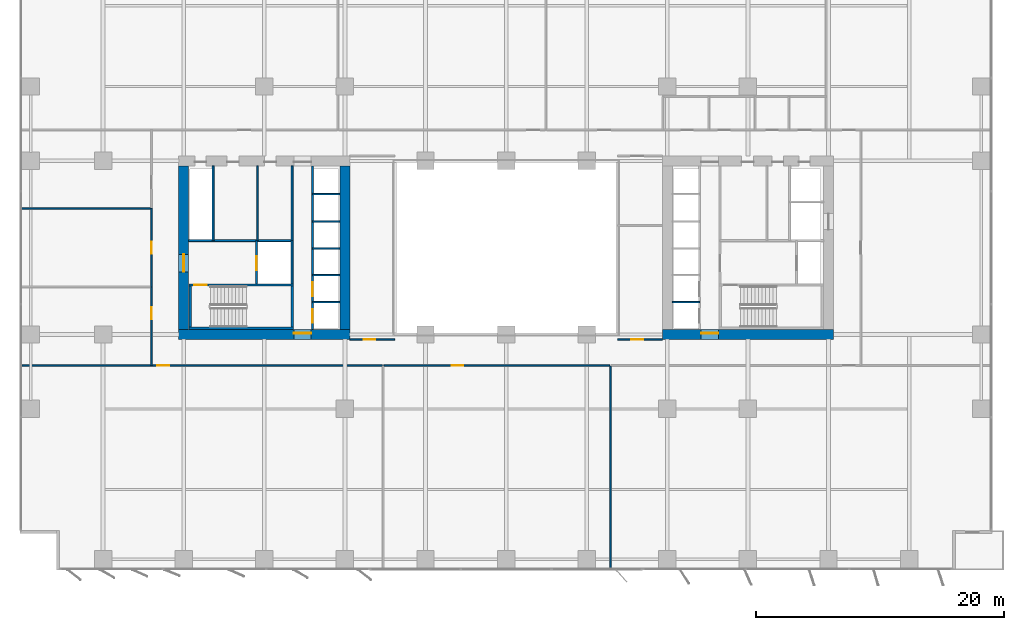
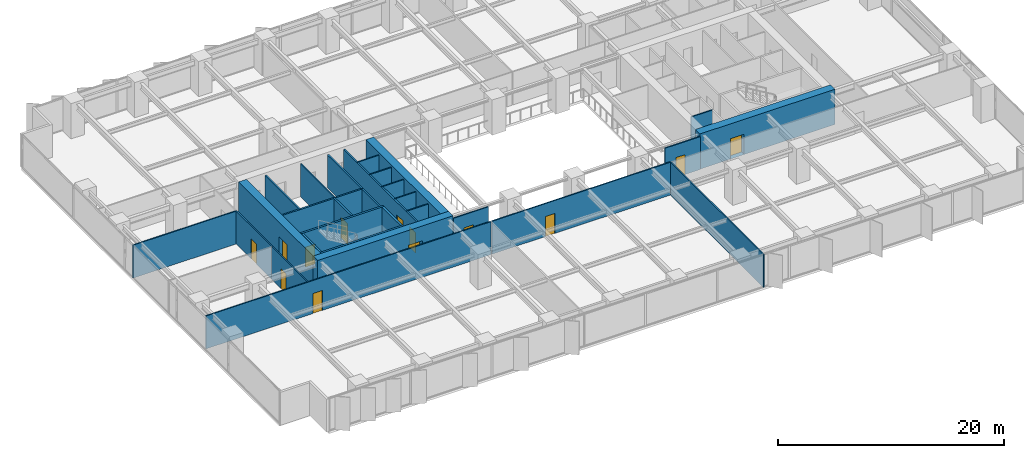
# One storey, part 13 of 20: 29 walls, 13 doors, 13 openings.
"""IFC4 building model written with IfcOpenShell, lengths in metres."""

from ifc_helpers import new_model, si_unit, direction, frame, frame_2d, origin, place, context, subcontext, project, spatial, rectangle, extrude, material, layer, layer_set, type_object, element, fill, save


model = new_model("IFC4")

# Units and contexts
model_context = context("Model", 3, precision=1e-05, world=origin(), true_north=direction((0.0, 1.0)))
body_context = subcontext(model_context, "Body", "Model", "MODEL_VIEW")
ifc_project = project(units=[si_unit("LENGTHUNIT", "METRE"), si_unit("AREAUNIT", "SQUARE_METRE"), si_unit("VOLUMEUNIT", "CUBIC_METRE"), si_unit("PLANEANGLEUNIT", "RADIAN"), si_unit("MASSUNIT", "GRAM", prefix="KILO")], contexts=[model_context])

# Site, building, storey
site_placement = place(None, origin())
site = spatial("IfcSite", under=ifc_project, at=site_placement, CompositionType="ELEMENT")
building_placement = place(site_placement, origin())
building = spatial("IfcBuilding", under=site, at=building_placement, Name="Putna Gate Headquarters", CompositionType="ELEMENT")
storey_placement = place(building_placement, frame((0.0, 0.0, 54.39990234375)))
storey = spatial("IfcBuildingStorey", under=building, at=storey_placement, Name="L12", CompositionType="ELEMENT", Elevation=54.39990234375)

# Wall, opening, door
ifc_material_1 = material(Name="Concrete C60/75", Category="concrete")
ifc_layer_1 = layer(ifc_material_1, 0.800048828125)
ifc_layer_set_1 = layer_set([ifc_layer_1], Name="Concrete C60/75")
wall_type_1 = type_object("IfcWallType", Name="WALL-CORE-800", PredefinedType="SHEAR", material=ifc_layer_set_1)
wall_1_placement = place(storey_placement, frame((12.60009765625, 19.0, 0.0), z_axis=(0.0, 0.0, 1.0), x_axis=(1.0, 0.0, 0.0)))
wall_1 = element("IfcWall", 1, at=wall_1_placement, inside=storey, type_object=wall_type_1, Name="L12 WC Split Core Shear Wall S", PredefinedType="SHEAR", context=body_context, shape_type="SweptSolid", body=[
    extrude(rectangle(XDim=13.7998046875, YDim=0.800048828125, at=frame_2d((6.89990234375, 0.0))), origin(), (0.0, 0.0, 1.0), 3.800048828125),
])
opening_1_placement = place(wall_1_placement, frame((9.280029296875, 0.0, 0.0)))
opening_1 = element("IfcOpeningElement", 2, at=opening_1_placement, cuts=wall_1, Name="Opening FDD-140", PredefinedType="OPENING", context=body_context, shape_type="SweptSolid", body=[
    extrude(rectangle(XDim=1.39990234375, YDim=2.199951171875, at=frame_2d((0.699951171875, 1.10009765625))), frame((0.0, 0.409912109375, 0.0), z_axis=(0.0, -1.0, 0.0), x_axis=(1.0, 0.0, 0.0)), (0.0, 0.0, 1.0), 0.820068359375),
])
ifc_material_2 = material(Name="Double steel fire door", Category="steel")
door_type_1 = type_object("IfcDoorType", Name="DOOR-FIRE-DBL-1400", OperationType="DOUBLE_DOOR_SINGLE_SWING", PredefinedType="DOOR", material=ifc_material_2)
door_1_placement = place(opening_1_placement, origin())
door_1 = element("IfcDoor", 3, at=door_1_placement, inside=storey, type_object=door_type_1, Name="L12 West Lift Lobby South Door", OperationType="DOUBLE_DOOR_SINGLE_SWING", OverallHeight=2.199951171875, OverallWidth=1.39990234375, PredefinedType="DOOR", context=body_context, shape_type="SweptSolid", body=[
    extrude(rectangle(XDim=1.39990234375, YDim=2.199951171875, at=frame_2d((0.699951171875, 1.10009765625))), frame((0.0, 0.125, 0.0), z_axis=(0.0, -1.0, 0.0), x_axis=(1.0, 0.0, 0.0)), (0.0, 0.0, 1.0), 0.050048828125),
])
fill(opening_1, door_1)

wall_2_placement = place(storey_placement, frame((13.0, 19.39990234375, 0.0), z_axis=(0.0, 0.0, 1.0), x_axis=(0.0, 1.0, 0.0)))
wall_2 = element("IfcWall", 4, at=wall_2_placement, inside=storey, type_object=wall_type_1, Name="L12 WC Split Core Shear Wall W", PredefinedType="SHEAR", context=body_context, shape_type="SweptSolid", body=[
    extrude(rectangle(XDim=13.2001953125, YDim=0.800048828125, at=frame_2d((6.60009765625, 0.0))), origin(), (0.0, 0.0, 1.0), 3.800048828125),
])
opening_2_placement = place(wall_2_placement, frame((4.64990234375, 0.0, 0.0)))
opening_2 = element("IfcOpeningElement", 5, at=opening_2_placement, cuts=wall_2, Name="Opening FDD-140", PredefinedType="OPENING", context=body_context, shape_type="SweptSolid", body=[
    extrude(rectangle(XDim=1.39990234375, YDim=2.199951171875, at=frame_2d((0.699951171875, 1.10009765625))), frame((0.0, 0.409912109375, 0.0), z_axis=(0.0, -1.0, 0.0), x_axis=(1.0, 0.0, 0.0)), (0.0, 0.0, 1.0), 0.820068359375),
])
door_2_placement = place(opening_2_placement, origin())
door_2 = element("IfcDoor", 6, at=door_2_placement, inside=storey, type_object=door_type_1, Name="L12 West Firefighting Lobby Door", OperationType="DOUBLE_DOOR_SINGLE_SWING", OverallHeight=2.199951171875, OverallWidth=1.39990234375, PredefinedType="DOOR", context=body_context, shape_type="SweptSolid", body=[
    extrude(rectangle(XDim=1.39990234375, YDim=2.199951171875, at=frame_2d((0.699951171875, 1.10009765625))), frame((0.0, 0.02490234375, 0.0), z_axis=(0.0, -1.0, 0.0), x_axis=(1.0, 0.0, 0.0)), (0.0, 0.0, 1.0), 0.050048828125),
])
fill(opening_2, door_2)

# Wall
wall_3_placement = place(storey_placement, frame((26.0, 19.39990234375, 0.0), z_axis=(0.0, 0.0, 1.0), x_axis=(0.0, 1.0, 0.0)))
element("IfcWall", 7, at=wall_3_placement, inside=storey, type_object=wall_type_1, Name="L12 WC Split Core Shear Wall E", PredefinedType="SHEAR", context=body_context, shape_type="SweptSolid", body=[
    extrude(rectangle(XDim=13.2001953125, YDim=0.800048828125, at=frame_2d((6.60009765625, 0.0))), origin(), (0.0, 0.0, 1.0), 3.800048828125),
])

# Wall, opening, door
wall_4_placement = place(storey_placement, frame((51.60009765625, 19.0, 0.0), z_axis=(0.0, 0.0, 1.0), x_axis=(1.0, 0.0, 0.0)))
wall_4 = element("IfcWall", 8, at=wall_4_placement, inside=storey, type_object=wall_type_1, Name="L12 EC Split Core Shear Wall S", PredefinedType="SHEAR", context=body_context, shape_type="SweptSolid", body=[
    extrude(rectangle(XDim=13.7998046875, YDim=0.800048828125, at=frame_2d((6.89990234375, 0.0))), origin(), (0.0, 0.0, 1.0), 3.800048828125),
])
opening_3_placement = place(wall_4_placement, frame((3.1201171875, 0.0, 0.0)))
opening_3 = element("IfcOpeningElement", 9, at=opening_3_placement, cuts=wall_4, Name="Opening FDD-140", PredefinedType="OPENING", context=body_context, shape_type="SweptSolid", body=[
    extrude(rectangle(XDim=1.39990234375, YDim=2.199951171875, at=frame_2d((0.699951171875, 1.10009765625))), frame((0.0, 0.409912109375, 0.0), z_axis=(0.0, -1.0, 0.0), x_axis=(1.0, 0.0, 0.0)), (0.0, 0.0, 1.0), 0.820068359375),
])
door_3_placement = place(opening_3_placement, origin())
door_3 = element("IfcDoor", 10, at=door_3_placement, inside=storey, type_object=door_type_1, Name="L12 East Lift Lobby South Door", OperationType="DOUBLE_DOOR_SINGLE_SWING", OverallHeight=2.199951171875, OverallWidth=1.39990234375, PredefinedType="DOOR", context=body_context, shape_type="SweptSolid", body=[
    extrude(rectangle(XDim=1.39990234375, YDim=2.199951171875, at=frame_2d((0.699951171875, 1.10009765625))), frame((0.0, 0.125, 0.0), z_axis=(0.0, -1.0, 0.0), x_axis=(1.0, 0.0, 0.0)), (0.0, 0.0, 1.0), 0.050048828125),
])
fill(opening_3, door_3)

ifc_material_3 = material(Name="Acoustic gypsum board on metal stud")
ifc_layer_2 = layer(ifc_material_3, 0.1201171875)
ifc_layer_set_2 = layer_set([ifc_layer_2], Name="Acoustic gypsum board on metal stud")
wall_type_2 = type_object("IfcWallType", Name="WALL-PART-120", PredefinedType="PARTITIONING", material=ifc_layer_set_2)
wall_5_placement = place(storey_placement, frame((26.39990234375, 18.60009765625, 0.0), z_axis=(0.0, 0.0, 1.0), x_axis=(1.0, 0.0, 0.0)))
wall_5 = element("IfcWall", 11, at=wall_5_placement, inside=storey, type_object=wall_type_2, Name="L12 Interior Wall PART-L12-ATR-W-S", PredefinedType="PARTITIONING", context=body_context, shape_type="SweptSolid", body=[
    extrude(rectangle(XDim=3.60009765625, YDim=0.1201171875, at=frame_2d((1.800048828125, 0.0))), origin(), (0.0, 0.0, 1.0), 3.550048828125),
])
opening_4_placement = place(wall_5_placement, frame((1.10009765625, 0.0, 0.0)))
opening_4 = element("IfcOpeningElement", 12, at=opening_4_placement, cuts=wall_5, Name="Opening ID-95", PredefinedType="OPENING", context=body_context, shape_type="SweptSolid", body=[
    extrude(rectangle(XDim=0.949951171875, YDim=2.14990234375, at=frame_2d((0.47509765625, 1.074951171875))), frame((0.0, 0.070068359375, 0.0), z_axis=(0.0, -1.0, 0.0), x_axis=(1.0, 0.0, 0.0)), (0.0, 0.0, 1.0), 0.14013671875),
])
ifc_material_4 = material(Name="Veneered acoustic timber door", Category="wood")
door_type_2 = type_object("IfcDoorType", Name="DOOR-OFF-950", OperationType="NOTDEFINED", PredefinedType="DOOR", material=ifc_material_4)
door_4_placement = place(opening_4_placement, origin())
door_4 = element("IfcDoor", 13, at=door_4_placement, inside=storey, type_object=door_type_2, Name="L12 West Atrium Gallery Lounge Door", OperationType="SINGLE_SWING_LEFT", OverallHeight=2.14990234375, OverallWidth=0.949951171875, PredefinedType="DOOR", context=body_context, shape_type="SweptSolid", body=[
    extrude(rectangle(XDim=0.949951171875, YDim=2.14990234375, at=frame_2d((0.47509765625, 1.074951171875))), frame((0.0, 0.02490234375, 0.0), z_axis=(0.0, -1.0, 0.0), x_axis=(1.0, 0.0, 0.0)), (0.0, 0.0, 1.0), 0.050048828125),
])
fill(opening_4, door_4)

wall_6_placement = place(storey_placement, frame((48.0, 18.60009765625, 0.0), z_axis=(0.0, 0.0, 1.0), x_axis=(1.0, 0.0, 0.0)))
wall_6 = element("IfcWall", 14, at=wall_6_placement, inside=storey, type_object=wall_type_2, Name="L12 Interior Wall PART-L12-ATR-E-S", PredefinedType="PARTITIONING", context=body_context, shape_type="SweptSolid", body=[
    extrude(rectangle(XDim=3.60009765625, YDim=0.1201171875, at=frame_2d((1.800048828125, 0.0))), origin(), (0.0, 0.0, 1.0), 3.550048828125),
])
opening_5_placement = place(wall_6_placement, frame((1.10009765625, 0.0, 0.0)))
opening_5 = element("IfcOpeningElement", 15, at=opening_5_placement, cuts=wall_6, Name="Opening ID-95", PredefinedType="OPENING", context=body_context, shape_type="SweptSolid", body=[
    extrude(rectangle(XDim=0.949951171875, YDim=2.14990234375, at=frame_2d((0.47509765625, 1.074951171875))), frame((0.0, 0.070068359375, 0.0), z_axis=(0.0, -1.0, 0.0), x_axis=(1.0, 0.0, 0.0)), (0.0, 0.0, 1.0), 0.14013671875),
])
door_5_placement = place(opening_5_placement, origin())
door_5 = element("IfcDoor", 16, at=door_5_placement, inside=storey, type_object=door_type_2, Name="L12 East Atrium South Gallery Door", OperationType="SINGLE_SWING_RIGHT", OverallHeight=2.14990234375, OverallWidth=0.949951171875, PredefinedType="DOOR", context=body_context, shape_type="SweptSolid", body=[
    extrude(rectangle(XDim=0.949951171875, YDim=2.14990234375, at=frame_2d((0.47509765625, 1.074951171875))), frame((0.0, 0.02490234375, 0.0), z_axis=(0.0, -1.0, 0.0), x_axis=(1.0, 0.0, 0.0)), (0.0, 0.0, 1.0), 0.050048828125),
])
fill(opening_5, door_5)

# Walls
wall_7_placement = place(storey_placement, frame((47.40478515625, 0.02001953125, 0.0), z_axis=(0.0, 0.0, 1.0), x_axis=(0.0, 1.0, 0.0)))
element("IfcWall", 17, at=wall_7_placement, inside=storey, type_object=wall_type_2, Name="L12 Interior Wall PART-L12-SB-DIV-02", PredefinedType="PARTITIONING", context=body_context, shape_type="SweptSolid", body=[
    extrude(rectangle(XDim=16.419921875, YDim=0.1201171875, at=frame_2d((8.2099609375, 0.0))), origin(), (0.0, 0.0, 1.0), 3.550048828125),
])
wall_8_placement = place(storey_placement, frame((-0.179931640625, 29.166748046875, 0.0), z_axis=(0.0, 0.0, 1.0), x_axis=(1.0, 0.0, 0.0)))
element("IfcWall", 18, at=wall_8_placement, inside=storey, type_object=wall_type_2, Name="L12 Interior Wall PART-L12-WW-DIV-2", PredefinedType="PARTITIONING", context=body_context, shape_type="SweptSolid", body=[
    extrude(rectangle(XDim=10.579833984375, YDim=0.1201171875, at=frame_2d((5.2900390625, 0.0))), origin(), (0.0, 0.0, 1.0), 3.550048828125),
])
ifc_material_5 = material(Name="Fire-rated shaftwall gypsum board on metal stud")
ifc_layer_3 = layer(ifc_material_5, 0.1201171875)
ifc_layer_set_3 = layer_set([ifc_layer_3], Name="Fire-rated shaftwall gypsum board on metal stud")
wall_type_3 = type_object("IfcWallType", Name="WALL-PART-120-EI120", PredefinedType="PARTITIONING", material=ifc_layer_set_3)
for number, where, z_axis, x_axis, name in (
    (19, (23.39990234375, 21.610107421875, 0.0), (0.0, 0.0, 1.0), (1.0, 0.0, 0.0), "L12 Interior Wall CWINT-L12-WC-LF01-DIV"),
    (20, (23.39990234375, 23.780029296875, 0.0), (0.0, 0.0, 1.0), (1.0, 0.0, 0.0), "L12 Interior Wall CWINT-L12-WC-LF02-DIV"),
    (21, (23.39990234375, 25.949951171875, 0.0), (0.0, 0.0, 1.0), (1.0, 0.0, 0.0), "L12 Interior Wall CWINT-L12-WC-LF05-DIV"),
    (22, (23.39990234375, 28.1201171875, 0.0), (0.0, 0.0, 1.0), (1.0, 0.0, 0.0), "L12 Interior Wall CWINT-L12-WC-LF06-DIV"),
    (23, (23.39990234375, 30.31005859375, 0.0), (0.0, 0.0, 1.0), (1.0, 0.0, 0.0), "L12 Interior Wall CWINT-L12-WC-LF09-DIV"),
    (24, (52.39990234375, 21.610107421875, 0.0), (0.0, 0.0, 1.0), (1.0, 0.0, 0.0), "L12 Interior Wall CWINT-L12-EC-LF03-DIV"),
):
    element("IfcWall", number, at=place(storey_placement, frame(where, z_axis=z_axis, x_axis=x_axis)), inside=storey, type_object=wall_type_3, Name=name, PredefinedType="PARTITIONING", context=body_context, shape_type="SweptSolid", body=[
        extrude(rectangle(XDim=2.2001953125, YDim=0.1201171875, at=frame_2d((1.10009765625, 0.0))), origin(), (0.0, 0.0, 1.0), 3.550048828125),
    ])
ifc_material_6 = material(Name="Fire-rated gypsum board on metal stud")
ifc_layer_4 = layer(ifc_material_6, 0.1201171875)
ifc_layer_set_4 = layer_set([ifc_layer_4], Name="Fire-rated gypsum board on metal stud")
wall_type_4 = type_object("IfcWallType", Name="WALL-PART-120-RATED", PredefinedType="PARTITIONING", material=ifc_layer_set_4)
wall_9_placement = place(storey_placement, frame((18.969970703125, 26.56005859375, 0.0), z_axis=(0.0, 0.0, 1.0), x_axis=(0.0, 1.0, 0.0)))
element("IfcWall", 25, at=wall_9_placement, inside=storey, type_object=wall_type_4, Name="L12 Interior Wall CWINT-L12-WC-K0-DIV", PredefinedType="PARTITIONING", context=body_context, shape_type="SweptSolid", body=[
    extrude(rectangle(XDim=6.0400390625, YDim=0.1201171875, at=frame_2d((3.02001953125, 0.0))), origin(), (0.0, 0.0, 1.0), 3.550048828125),
])

# Wall, opening, door
wall_10_placement = place(storey_placement, frame((-0.02001953125, 16.5, 0.0), z_axis=(0.0, 0.0, 1.0), x_axis=(1.0, 0.0, 0.0)))
wall_10 = element("IfcWall", 26, at=wall_10_placement, inside=storey, type_object=wall_type_4, Name="L12 Interior Wall PART-L12-SB-CW-01", PredefinedType="PARTITIONING", context=body_context, shape_type="SweptSolid", body=[
    extrude(rectangle(XDim=29.041015625, YDim=0.1201171875, at=frame_2d((14.5205078125, 0.0))), origin(), (0.0, 0.0, 1.0), 3.550048828125),
])
opening_6_placement = place(wall_10_placement, frame((10.89990234375, 0.0, 0.0)))
opening_6 = element("IfcOpeningElement", 27, at=opening_6_placement, cuts=wall_10, Name="Opening FD-95", PredefinedType="OPENING", context=body_context, shape_type="SweptSolid", body=[
    extrude(rectangle(XDim=0.949951171875, YDim=2.14990234375, at=frame_2d((0.47509765625, 1.074951171875))), frame((0.0, 0.070068359375, 0.0), z_axis=(0.0, -1.0, 0.0), x_axis=(1.0, 0.0, 0.0)), (0.0, 0.0, 1.0), 0.14013671875),
])
ifc_material_7 = material(Name="Acoustic timber fire door", Category="wood")
door_type_3 = type_object("IfcDoorType", Name="DOOR-FIRE-950", OperationType="NOTDEFINED", PredefinedType="DOOR", material=ifc_material_7)
door_6_placement = place(opening_6_placement, origin())
door_6 = element("IfcDoor", 28, at=door_6_placement, inside=storey, type_object=door_type_3, Name="L12 Conference Meeting Room 1 Door", OperationType="SINGLE_SWING_RIGHT", OverallHeight=2.14990234375, OverallWidth=0.949951171875, PredefinedType="DOOR", context=body_context, shape_type="SweptSolid", body=[
    extrude(rectangle(XDim=0.949951171875, YDim=2.14990234375, at=frame_2d((0.47509765625, 1.074951171875))), frame((0.0, 0.02490234375, 0.0), z_axis=(0.0, -1.0, 0.0), x_axis=(1.0, 0.0, 0.0)), (0.0, 0.0, 1.0), 0.050048828125),
])
fill(opening_6, door_6)

wall_11_placement = place(storey_placement, frame((29.14111328125, 16.5, 0.0), z_axis=(0.0, 0.0, 1.0), x_axis=(1.0, 0.0, 0.0)))
wall_11 = element("IfcWall", 29, at=wall_11_placement, inside=storey, type_object=wall_type_4, Name="L12 Interior Wall PART-L12-SB-CW-02", PredefinedType="PARTITIONING", context=body_context, shape_type="SweptSolid", body=[
    extrude(rectangle(XDim=18.203857421875, YDim=0.1201171875, at=frame_2d((9.10205078125, 0.0))), origin(), (0.0, 0.0, 1.0), 3.550048828125),
])
opening_7_placement = place(wall_11_placement, frame((5.461181640625, 0.0, 0.0)))
opening_7 = element("IfcOpeningElement", 30, at=opening_7_placement, cuts=wall_11, Name="Opening FD-95", PredefinedType="OPENING", context=body_context, shape_type="SweptSolid", body=[
    extrude(rectangle(XDim=0.949951171875, YDim=2.14990234375, at=frame_2d((0.47509765625, 1.074951171875))), frame((0.0, 0.070068359375, 0.0), z_axis=(0.0, -1.0, 0.0), x_axis=(1.0, 0.0, 0.0)), (0.0, 0.0, 1.0), 0.14013671875),
])
door_7_placement = place(opening_7_placement, origin())
door_7 = element("IfcDoor", 31, at=door_7_placement, inside=storey, type_object=door_type_3, Name="L12 Quiet Wellness Focus Studio 1 Door", OperationType="SINGLE_SWING_LEFT", OverallHeight=2.14990234375, OverallWidth=0.949951171875, PredefinedType="DOOR", context=body_context, shape_type="SweptSolid", body=[
    extrude(rectangle(XDim=0.949951171875, YDim=2.14990234375, at=frame_2d((0.47509765625, 1.074951171875))), frame((0.0, 0.02490234375, 0.0), z_axis=(0.0, -1.0, 0.0), x_axis=(1.0, 0.0, 0.0)), (0.0, 0.0, 1.0), 0.050048828125),
])
fill(opening_7, door_7)

wall_12_placement = place(storey_placement, frame((10.39990234375, 16.5, 0.0), z_axis=(0.0, 0.0, 1.0), x_axis=(0.0, 1.0, 0.0)))
wall_12 = element("IfcWall", 32, at=wall_12_placement, inside=storey, type_object=wall_type_4, Name="L12 Interior Wall PART-L12-WW-CW-1", PredefinedType="PARTITIONING", context=body_context, shape_type="SweptSolid", body=[
    extrude(rectangle(XDim=6.333251953125, YDim=0.1201171875, at=frame_2d((3.16650390625, 0.0))), origin(), (0.0, 0.0, 1.0), 3.550048828125),
])
opening_8_placement = place(wall_12_placement, frame((3.74169921875, 0.0, 0.0)))
opening_8 = element("IfcOpeningElement", 33, at=opening_8_placement, cuts=wall_12, Name="Opening FD-95", PredefinedType="OPENING", context=body_context, shape_type="SweptSolid", body=[
    extrude(rectangle(XDim=0.949951171875, YDim=2.14990234375, at=frame_2d((0.47509765625, 1.074951171875))), frame((0.0, 0.070068359375, 0.0), z_axis=(0.0, -1.0, 0.0), x_axis=(1.0, 0.0, 0.0)), (0.0, 0.0, 1.0), 0.14013671875),
])
door_8_placement = place(opening_8_placement, origin())
door_8 = element("IfcDoor", 34, at=door_8_placement, inside=storey, type_object=door_type_3, Name="L12 West Project Meeting Room 1 Door", OperationType="SINGLE_SWING_LEFT", OverallHeight=2.14990234375, OverallWidth=0.949951171875, PredefinedType="DOOR", context=body_context, shape_type="SweptSolid", body=[
    extrude(rectangle(XDim=0.949951171875, YDim=2.14990234375, at=frame_2d((0.47509765625, 1.074951171875))), frame((0.0, 0.02490234375, 0.0), z_axis=(0.0, -1.0, 0.0), x_axis=(1.0, 0.0, 0.0)), (0.0, 0.0, 1.0), 0.050048828125),
])
fill(opening_8, door_8)

wall_13_placement = place(storey_placement, frame((10.39990234375, 22.833251953125, 0.0), z_axis=(0.0, 0.0, 1.0), x_axis=(0.0, 1.0, 0.0)))
wall_13 = element("IfcWall", 35, at=wall_13_placement, inside=storey, type_object=wall_type_4, Name="L12 Interior Wall PART-L12-WW-CW-2", PredefinedType="PARTITIONING", context=body_context, shape_type="SweptSolid", body=[
    extrude(rectangle(XDim=6.33349609375, YDim=0.1201171875, at=frame_2d((3.166748046875, 0.0))), origin(), (0.0, 0.0, 1.0), 3.550048828125),
])
opening_9_placement = place(wall_13_placement, frame((2.691650390625, 0.0, 0.0)))
opening_9 = element("IfcOpeningElement", 36, at=opening_9_placement, cuts=wall_13, Name="Opening FD-95", PredefinedType="OPENING", context=body_context, shape_type="SweptSolid", body=[
    extrude(rectangle(XDim=0.949951171875, YDim=2.14990234375, at=frame_2d((0.47509765625, 1.074951171875))), frame((0.0, 0.070068359375, 0.0), z_axis=(0.0, -1.0, 0.0), x_axis=(1.0, 0.0, 0.0)), (0.0, 0.0, 1.0), 0.14013671875),
])
door_9_placement = place(opening_9_placement, origin())
door_9 = element("IfcDoor", 37, at=door_9_placement, inside=storey, type_object=door_type_3, Name="L12 West Project Meeting Room 2 Door", OperationType="SINGLE_SWING_RIGHT", OverallHeight=2.14990234375, OverallWidth=0.949951171875, PredefinedType="DOOR", context=body_context, shape_type="SweptSolid", body=[
    extrude(rectangle(XDim=0.949951171875, YDim=2.14990234375, at=frame_2d((0.47509765625, 1.074951171875))), frame((0.0, 0.02490234375, 0.0), z_axis=(0.0, -1.0, 0.0), x_axis=(1.0, 0.0, 0.0)), (0.0, 0.0, 1.0), 0.050048828125),
])
fill(opening_9, door_9)

# Wall
ifc_material_8 = material(Name="Concrete C40/50", Category="concrete")
ifc_layer_5 = layer(ifc_material_8, 0.159912109375)
ifc_layer_set_5 = layer_set([ifc_layer_5], Name="Concrete C40/50")
wall_type_5 = type_object("IfcWallType", Name="WALL-SHAFT-160", PredefinedType="STANDARD", material=ifc_layer_set_5)
wall_14_placement = place(storey_placement, frame((21.739990234375, 23.090087890625, 0.0), z_axis=(0.0, 0.0, 1.0), x_axis=(0.0, 1.0, 0.0)))
element("IfcWall", 38, at=wall_14_placement, inside=storey, type_object=wall_type_5, Name="L12 Interior Wall CWINT-L12-WC-FFL-E", PredefinedType="STANDARD", context=body_context, shape_type="SweptSolid", body=[
    extrude(rectangle(XDim=3.469970703125, YDim=0.159912109375, at=frame_2d((1.73486328125, 0.0))), origin(), (0.0, 0.0, 1.0), 3.550048828125),
])

# Wall, opening, door
wall_15_placement = place(storey_placement, frame((18.8798828125, 23.090087890625, 0.0), z_axis=(0.0, 0.0, 1.0), x_axis=(0.0, 1.0, 0.0)))
wall_15 = element("IfcWall", 39, at=wall_15_placement, inside=storey, type_object=wall_type_5, Name="L12 Interior Wall CWINT-L12-WC-LF13-W", PredefinedType="STANDARD", context=body_context, shape_type="SweptSolid", body=[
    extrude(rectangle(XDim=3.469970703125, YDim=0.159912109375, at=frame_2d((1.73486328125, 0.0))), origin(), (0.0, 0.0, 1.0), 3.550048828125),
])
opening_10_placement = place(wall_15_placement, frame((1.10009765625, 0.0, 0.0)))
opening_10 = element("IfcOpeningElement", 40, at=opening_10_placement, cuts=wall_15, Name="Opening LD-1", PredefinedType="OPENING", context=body_context, shape_type="SweptSolid", body=[
    extrude(rectangle(XDim=1.10009765625, YDim=2.199951171875, at=frame_2d((0.550048828125, 1.10009765625))), frame((0.0, 0.08984375, 0.0), z_axis=(0.0, -1.0, 0.0), x_axis=(1.0, 0.0, 0.0)), (0.0, 0.0, 1.0), 0.179931640625),
])
ifc_material_9 = material(Name="Brushed bronze stainless lift landing door")
door_type_4 = type_object("IfcDoorType", Name="DOOR-LIFT-1100", OperationType="DOUBLE_DOOR_SLIDING", PredefinedType="DOOR", material=ifc_material_9)
door_10_placement = place(opening_10_placement, origin())
door_10 = element("IfcDoor", 41, at=door_10_placement, inside=storey, type_object=door_type_4, Name="L12 Lift Landing Door LD-13", OperationType="DOUBLE_DOOR_SLIDING", OverallHeight=2.199951171875, OverallWidth=1.10009765625, PredefinedType="DOOR", context=body_context, shape_type="SweptSolid", body=[
    extrude(rectangle(XDim=1.10009765625, YDim=2.199951171875, at=frame_2d((0.550048828125, 1.10009765625))), frame((0.0, 0.02490234375, 0.0), z_axis=(0.0, -1.0, 0.0), x_axis=(1.0, 0.0, 0.0)), (0.0, 0.0, 1.0), 0.050048828125),
])
fill(opening_10, door_10)

# Walls
wall_16_placement = place(storey_placement, frame((13.39990234375, 26.56005859375, 0.0), z_axis=(0.0, 0.0, 1.0), x_axis=(1.0, 0.0, 0.0)))
element("IfcWall", 42, at=wall_16_placement, inside=storey, type_object=wall_type_5, Name="L12 Interior Wall CWINT-L12-WC-FFL-N", PredefinedType="STANDARD", context=body_context, shape_type="SweptSolid", body=[
    extrude(rectangle(XDim=8.340087890625, YDim=0.159912109375, at=frame_2d((4.169921875, 0.0))), origin(), (0.0, 0.0, 1.0), 3.550048828125),
])
for number, where, z_axis, x_axis, name in (
    (43, (15.3798828125, 26.56005859375, 0.0), (0.0, 0.0, 1.0), (0.0, 1.0, 0.0), "L12 Interior Wall CWINT-L12-WC-RISER-E"),
    (44, (21.739990234375, 26.56005859375, 0.0), (0.0, 0.0, 1.0), (0.0, 1.0, 0.0), "L12 Interior Wall CWINT-L12-WC-LOB-W"),
):
    element("IfcWall", number, at=place(storey_placement, frame(where, z_axis=z_axis, x_axis=x_axis)), inside=storey, type_object=wall_type_5, Name=name, PredefinedType="STANDARD", context=body_context, shape_type="SweptSolid", body=[
        extrude(rectangle(XDim=6.0400390625, YDim=0.159912109375, at=frame_2d((3.02001953125, 0.0))), origin(), (0.0, 0.0, 1.0), 3.550048828125),
    ])

# Wall, openings, doors
wall_17_placement = place(storey_placement, frame((23.39990234375, 19.39990234375, 0.0), z_axis=(0.0, 0.0, 1.0), x_axis=(0.0, 1.0, 0.0)))
wall_17 = element("IfcWall", 45, at=wall_17_placement, inside=storey, type_object=wall_type_5, Name="L12 Interior Wall CWINT-L12-WC-PL-WALL", PredefinedType="STANDARD", context=body_context, shape_type="SweptSolid", body=[
    extrude(rectangle(XDim=13.2001953125, YDim=0.159912109375, at=frame_2d((6.60009765625, 0.0))), origin(), (0.0, 0.0, 1.0), 3.550048828125),
])
opening_11_placement = place(wall_17_placement, frame((0.550048828125, 0.0, 0.0)))
opening_11 = element("IfcOpeningElement", 46, at=opening_11_placement, cuts=wall_17, Name="Opening LD-1", PredefinedType="OPENING", context=body_context, shape_type="SweptSolid", body=[
    extrude(rectangle(XDim=1.10009765625, YDim=2.199951171875, at=frame_2d((0.550048828125, 1.10009765625))), frame((0.0, 0.08984375, 0.0), z_axis=(0.0, -1.0, 0.0), x_axis=(1.0, 0.0, 0.0)), (0.0, 0.0, 1.0), 0.179931640625),
])
opening_12_placement = place(wall_17_placement, frame((2.699951171875, 0.0, 0.0)))
opening_12 = element("IfcOpeningElement", 47, at=opening_12_placement, cuts=wall_17, Name="Opening LD-1", PredefinedType="OPENING", context=body_context, shape_type="SweptSolid", body=[
    extrude(rectangle(XDim=1.10009765625, YDim=2.199951171875, at=frame_2d((0.550048828125, 1.10009765625))), frame((0.0, 0.08984375, 0.0), z_axis=(0.0, -1.0, 0.0), x_axis=(1.0, 0.0, 0.0)), (0.0, 0.0, 1.0), 0.179931640625),
])
door_11_placement = place(opening_11_placement, origin())
door_11 = element("IfcDoor", 48, at=door_11_placement, inside=storey, type_object=door_type_4, Name="L12 Lift Landing Door LD-01", OperationType="DOUBLE_DOOR_SLIDING", OverallHeight=2.199951171875, OverallWidth=1.10009765625, PredefinedType="DOOR", context=body_context, shape_type="SweptSolid", body=[
    extrude(rectangle(XDim=1.10009765625, YDim=2.199951171875, at=frame_2d((0.550048828125, 1.10009765625))), frame((0.0, 0.02490234375, 0.0), z_axis=(0.0, -1.0, 0.0), x_axis=(1.0, 0.0, 0.0)), (0.0, 0.0, 1.0), 0.050048828125),
])
fill(opening_11, door_11)
door_12_placement = place(opening_12_placement, origin())
door_12 = element("IfcDoor", 49, at=door_12_placement, inside=storey, type_object=door_type_4, Name="L12 Lift Landing Door LD-02", OperationType="DOUBLE_DOOR_SLIDING", OverallHeight=2.199951171875, OverallWidth=1.10009765625, PredefinedType="DOOR", context=body_context, shape_type="SweptSolid", body=[
    extrude(rectangle(XDim=1.10009765625, YDim=2.199951171875, at=frame_2d((0.550048828125, 1.10009765625))), frame((0.0, 0.02490234375, 0.0), z_axis=(0.0, -1.0, 0.0), x_axis=(1.0, 0.0, 0.0)), (0.0, 0.0, 1.0), 0.050048828125),
])
fill(opening_12, door_12)

# Wall
ifc_layer_6 = layer(ifc_material_8, 0.199951171875)
ifc_layer_set_6 = layer_set([ifc_layer_6], Name="Concrete C40/50")
wall_type_6 = type_object("IfcWallType", Name="WALL-SHAFT-RC200", PredefinedType="SHEAR", material=ifc_layer_set_6)
wall_18_placement = place(storey_placement, frame((13.409912109375, 19.510009765625, 0.0), z_axis=(0.0, 0.0, 1.0), x_axis=(1.0, 0.0, 0.0)))
element("IfcWall", 50, at=wall_18_placement, inside=storey, type_object=wall_type_6, Name="L12 Stair ST1 Structural Shaft Wall S", PredefinedType="SHEAR", context=body_context, shape_type="SweptSolid", body=[
    extrude(rectangle(XDim=8.43017578125, YDim=0.199951171875, at=frame_2d((4.215087890625, 0.0))), origin(), (0.0, 0.0, 1.0), 3.800048828125),
])

# Wall, opening, door
wall_19_placement = place(storey_placement, frame((13.409912109375, 22.989990234375, 0.0), z_axis=(0.0, 0.0, 1.0), x_axis=(1.0, 0.0, 0.0)))
wall_19 = element("IfcWall", 51, at=wall_19_placement, inside=storey, type_object=wall_type_6, Name="L12 Stair ST1 Structural Shaft Wall N", PredefinedType="SHEAR", context=body_context, shape_type="SweptSolid", body=[
    extrude(rectangle(XDim=8.43017578125, YDim=0.199951171875, at=frame_2d((4.215087890625, 0.0))), origin(), (0.0, 0.0, 1.0), 3.800048828125),
])
opening_13_placement = place(wall_19_placement, frame((0.449951171875, 0.0, 0.0)))
opening_13 = element("IfcOpeningElement", 52, at=opening_13_placement, cuts=wall_19, Name="Opening FD-100", PredefinedType="OPENING", context=body_context, shape_type="SweptSolid", body=[
    extrude(rectangle(XDim=1.0, YDim=2.14990234375, at=frame_2d((0.5, 1.074951171875))), frame((0.0, 0.10986328125, 0.0), z_axis=(0.0, -1.0, 0.0), x_axis=(1.0, 0.0, 0.0)), (0.0, 0.0, 1.0), 0.219970703125),
])
ifc_material_10 = material(Name="Powder-coated steel fire door", Category="steel")
door_type_5 = type_object("IfcDoorType", Name="DOOR-FIRE-1000", OperationType="NOTDEFINED", PredefinedType="DOOR", material=ifc_material_10)
door_13_placement = place(opening_13_placement, origin())
door_13 = element("IfcDoor", 53, at=door_13_placement, inside=storey, type_object=door_type_5, Name="L12 Stair ST1 Fire Door", OperationType="SINGLE_SWING_LEFT", OverallHeight=2.14990234375, OverallWidth=1.0, PredefinedType="DOOR", context=body_context, shape_type="SweptSolid", body=[
    extrude(rectangle(XDim=1.0, YDim=2.14990234375, at=frame_2d((0.5, 1.074951171875))), frame((0.0, 0.02490234375, 0.0), z_axis=(0.0, -1.0, 0.0), x_axis=(1.0, 0.0, 0.0)), (0.0, 0.0, 1.0), 0.050048828125),
])
fill(opening_13, door_13)

# Walls
for number, where, z_axis, x_axis, name in (
    (54, (13.510009765625, 19.610107421875, 0.0), (0.0, 0.0, 1.0), (0.0, 1.0, 0.0), "L12 Stair ST1 Structural Shaft Wall W"),
    (55, (21.739990234375, 19.610107421875, 0.0), (0.0, 0.0, 1.0), (0.0, 1.0, 0.0), "L12 Stair ST1 Structural Shaft Wall E"),
):
    element("IfcWall", number, at=place(storey_placement, frame(where, z_axis=z_axis, x_axis=x_axis)), inside=storey, type_object=wall_type_6, Name=name, PredefinedType="SHEAR", context=body_context, shape_type="SweptSolid", body=[
        extrude(rectangle(XDim=3.27978515625, YDim=0.199951171875, at=frame_2d((1.639892578125, 0.0))), origin(), (0.0, 0.0, 1.0), 3.800048828125),
    ])

save(model, "model.ifc")
